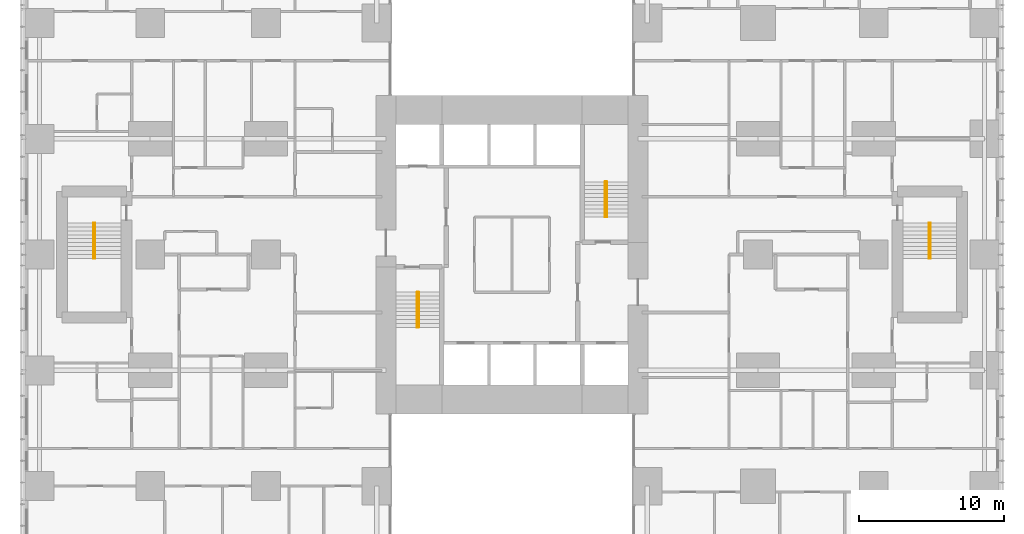
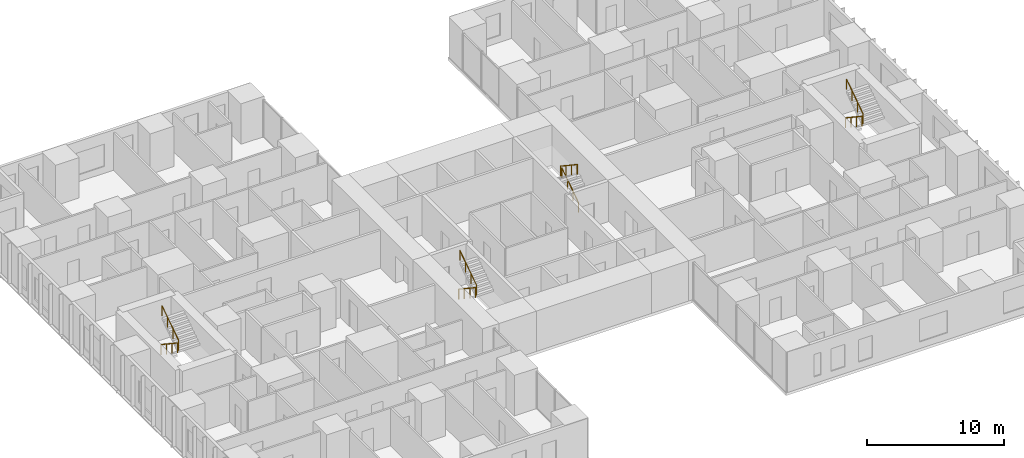
# One storey, part 20 of 20: 8 railings.
"""IFC4 building model written with IfcOpenShell, lengths in metres."""

from ifc_helpers import new_model, si_unit, direction, frame, origin, origin_2d, place, context, subcontext, project, spatial, circle, extrude, material, type_object, element, save


model = new_model("IFC4")

# Units and contexts
model_context = context("Model", 3, precision=1e-05, world=origin(), true_north=direction((0.0, 1.0)))
body_context = subcontext(model_context, "Body", "Model", "MODEL_VIEW")
ifc_project = project(units=[si_unit("LENGTHUNIT", "METRE"), si_unit("AREAUNIT", "SQUARE_METRE"), si_unit("VOLUMEUNIT", "CUBIC_METRE"), si_unit("PLANEANGLEUNIT", "RADIAN"), si_unit("MASSUNIT", "GRAM", prefix="KILO")], contexts=[model_context])

# Site, building, storey
site_placement = place(None, origin())
site = spatial("IfcSite", under=ifc_project, at=site_placement, CompositionType="ELEMENT")
building_placement = place(site_placement, origin())
building = spatial("IfcBuilding", under=site, at=building_placement, Name="Cleftline Residences", CompositionType="ELEMENT")
storey_placement = place(building_placement, frame((0.0, 0.0, 36.800048828125)))
storey = spatial("IfcBuildingStorey", under=building, at=storey_placement, Name="L08", CompositionType="ELEMENT", Elevation=36.800048828125)

# Railings
ifc_material = material(Name="Stainless steel", Category="steel")
railing_type = type_object("IfcRailingType", Name="HANDRAIL 900", PredefinedType="HANDRAIL", material=ifc_material)
railing_1_placement = place(storey_placement, frame((26.449951171875, 21.39990234375, 0.179931640625)))
element("IfcRailing", 1, at=railing_1_placement, inside=storey, type_object=railing_type, Name="Stair handrail", PredefinedType="HANDRAIL", context=body_context, shape_type="SweptSolid", body=[
    extrude(circle(Radius=0.02392578125, at=origin_2d()), frame((0.0, 0.0, 0.8759765625), z_axis=(0.0, -0.832024571796, 0.554738778101), x_axis=(1.0, 0.0, 0.0)), (0.0, 0.0, 1.0), 2.92041015625),
    extrude(circle(Radius=0.02099609375, at=origin_2d()), origin(), (0.0, 0.0, 1.0), 0.851806640625),
    extrude(circle(Radius=0.02099609375, at=origin_2d()), frame((0.0, -0.81005859375, 0.5400390625)), (0.0, 0.0, 1.0), 0.851806640625),
    extrude(circle(Radius=0.02099609375, at=origin_2d()), frame((0.0, -1.619873046875, 1.080078125)), (0.0, 0.0, 1.0), 0.851806640625),
    extrude(circle(Radius=0.02099609375, at=origin_2d()), frame((0.0, -2.429931640625, 1.6201171875)), (0.0, 0.0, 1.0), 0.851806640625),
])
railing_2_placement = place(storey_placement, frame((26.550048828125, 18.969970703125, 1.97998046875)))
element("IfcRailing", 2, at=railing_2_placement, inside=storey, type_object=railing_type, Name="Stair handrail", PredefinedType="HANDRAIL", context=body_context, shape_type="SweptSolid", body=[
    extrude(circle(Radius=0.02392578125, at=origin_2d()), frame((0.0, 0.0, 0.8759765625), z_axis=(0.0, 0.832063155534, 0.554680903946), x_axis=(-1.0, 0.0, 0.0)), (0.0, 0.0, 1.0), 2.92041015625),
    extrude(circle(Radius=0.02099609375, at=origin_2d()), origin(), (0.0, 0.0, 1.0), 0.851806640625),
    extrude(circle(Radius=0.02099609375, at=origin_2d()), frame((0.0, 0.81005859375, 0.5400390625)), (0.0, 0.0, 1.0), 0.851806640625),
    extrude(circle(Radius=0.02099609375, at=origin_2d()), frame((0.0, 1.619873046875, 1.079833984375)), (0.0, 0.0, 1.0), 0.851806640625),
    extrude(circle(Radius=0.02099609375, at=origin_2d()), frame((0.0, 2.429931640625, 1.619873046875)), (0.0, 0.0, 1.0), 0.851806640625),
])
railing_3_placement = place(storey_placement, frame((39.550048828125, 26.60009765625, 0.179931640625)))
element("IfcRailing", 3, at=railing_3_placement, inside=storey, type_object=railing_type, Name="Stair handrail", PredefinedType="HANDRAIL", context=body_context, shape_type="SweptSolid", body=[
    extrude(circle(Radius=0.02392578125, at=origin_2d()), frame((0.0, 0.0, 0.8759765625), z_axis=(0.0, 0.832024571796, 0.554738778101), x_axis=(-1.0, 0.0, 0.0)), (0.0, 0.0, 1.0), 2.92041015625),
    extrude(circle(Radius=0.02099609375, at=origin_2d()), origin(), (0.0, 0.0, 1.0), 0.851806640625),
    extrude(circle(Radius=0.02099609375, at=origin_2d()), frame((0.0, 0.81005859375, 0.5400390625)), (0.0, 0.0, 1.0), 0.851806640625),
    extrude(circle(Radius=0.02099609375, at=origin_2d()), frame((0.0, 1.619873046875, 1.080078125)), (0.0, 0.0, 1.0), 0.851806640625),
    extrude(circle(Radius=0.02099609375, at=origin_2d()), frame((0.0, 2.429931640625, 1.6201171875)), (0.0, 0.0, 1.0), 0.851806640625),
])
railing_4_placement = place(storey_placement, frame((39.449951171875, 29.030029296875, 1.97998046875)))
element("IfcRailing", 4, at=railing_4_placement, inside=storey, type_object=railing_type, Name="Stair handrail", PredefinedType="HANDRAIL", context=body_context, shape_type="SweptSolid", body=[
    extrude(circle(Radius=0.02392578125, at=origin_2d()), frame((0.0, 0.0, 0.8759765625), z_axis=(0.0, -0.832063155534, 0.554680903946), x_axis=(1.0, 0.0, 0.0)), (0.0, 0.0, 1.0), 2.92041015625),
    extrude(circle(Radius=0.02099609375, at=origin_2d()), origin(), (0.0, 0.0, 1.0), 0.851806640625),
    extrude(circle(Radius=0.02099609375, at=origin_2d()), frame((0.0, -0.81005859375, 0.5400390625)), (0.0, 0.0, 1.0), 0.851806640625),
    extrude(circle(Radius=0.02099609375, at=origin_2d()), frame((0.0, -1.619873046875, 1.079833984375)), (0.0, 0.0, 1.0), 0.851806640625),
    extrude(circle(Radius=0.02099609375, at=origin_2d()), frame((0.0, -2.429931640625, 1.619873046875)), (0.0, 0.0, 1.0), 0.851806640625),
])
railing_5_placement = place(storey_placement, frame((61.824951171875, 26.175048828125, 0.179931640625)))
element("IfcRailing", 5, at=railing_5_placement, inside=storey, type_object=railing_type, Name="Stair handrail", PredefinedType="HANDRAIL", context=body_context, shape_type="SweptSolid", body=[
    extrude(circle(Radius=0.02392578125, at=origin_2d()), frame((0.0, 0.0, 0.8759765625), z_axis=(0.0, -0.832024571796, 0.554738778101), x_axis=(1.0, 0.0, 0.0)), (0.0, 0.0, 1.0), 2.92041015625),
    extrude(circle(Radius=0.02099609375, at=origin_2d()), origin(), (0.0, 0.0, 1.0), 0.851806640625),
    extrude(circle(Radius=0.02099609375, at=origin_2d()), frame((0.0, -0.81005859375, 0.5400390625)), (0.0, 0.0, 1.0), 0.851806640625),
    extrude(circle(Radius=0.02099609375, at=origin_2d()), frame((0.0, -1.619873046875, 1.080078125)), (0.0, 0.0, 1.0), 0.851806640625),
    extrude(circle(Radius=0.02099609375, at=origin_2d()), frame((0.0, -2.429931640625, 1.6201171875)), (0.0, 0.0, 1.0), 0.851806640625),
])
railing_6_placement = place(storey_placement, frame((61.925048828125, 23.7451171875, 1.97998046875)))
element("IfcRailing", 6, at=railing_6_placement, inside=storey, type_object=railing_type, Name="Stair handrail", PredefinedType="HANDRAIL", context=body_context, shape_type="SweptSolid", body=[
    extrude(circle(Radius=0.02392578125, at=origin_2d()), frame((0.0, 0.0, 0.8759765625), z_axis=(0.0, 0.832063155534, 0.554680903946), x_axis=(-1.0, 0.0, 0.0)), (0.0, 0.0, 1.0), 2.92041015625),
    extrude(circle(Radius=0.02099609375, at=origin_2d()), origin(), (0.0, 0.0, 1.0), 0.851806640625),
    extrude(circle(Radius=0.02099609375, at=origin_2d()), frame((0.0, 0.81005859375, 0.5400390625)), (0.0, 0.0, 1.0), 0.851806640625),
    extrude(circle(Radius=0.02099609375, at=origin_2d()), frame((0.0, 1.619873046875, 1.079833984375)), (0.0, 0.0, 1.0), 0.851806640625),
    extrude(circle(Radius=0.02099609375, at=origin_2d()), frame((0.0, 2.429931640625, 1.619873046875)), (0.0, 0.0, 1.0), 0.851806640625),
])
railing_7_placement = place(storey_placement, frame((4.074951171875, 26.175048828125, 0.179931640625)))
element("IfcRailing", 7, at=railing_7_placement, inside=storey, type_object=railing_type, Name="Stair handrail", PredefinedType="HANDRAIL", context=body_context, shape_type="SweptSolid", body=[
    extrude(circle(Radius=0.02392578125, at=origin_2d()), frame((0.0, 0.0, 0.8759765625), z_axis=(0.0, -0.832024571796, 0.554738778101), x_axis=(1.0, 0.0, 0.0)), (0.0, 0.0, 1.0), 2.92041015625),
    extrude(circle(Radius=0.02099609375, at=origin_2d()), origin(), (0.0, 0.0, 1.0), 0.851806640625),
    extrude(circle(Radius=0.02099609375, at=origin_2d()), frame((0.0, -0.81005859375, 0.5400390625)), (0.0, 0.0, 1.0), 0.851806640625),
    extrude(circle(Radius=0.02099609375, at=origin_2d()), frame((0.0, -1.619873046875, 1.080078125)), (0.0, 0.0, 1.0), 0.851806640625),
    extrude(circle(Radius=0.02099609375, at=origin_2d()), frame((0.0, -2.429931640625, 1.6201171875)), (0.0, 0.0, 1.0), 0.851806640625),
])
railing_8_placement = place(storey_placement, frame((4.175048828125, 23.7451171875, 1.97998046875)))
element("IfcRailing", 8, at=railing_8_placement, inside=storey, type_object=railing_type, Name="Stair handrail", PredefinedType="HANDRAIL", context=body_context, shape_type="SweptSolid", body=[
    extrude(circle(Radius=0.02392578125, at=origin_2d()), frame((0.0, 0.0, 0.8759765625), z_axis=(0.0, 0.832063155534, 0.554680903946), x_axis=(-1.0, 0.0, 0.0)), (0.0, 0.0, 1.0), 2.92041015625),
    extrude(circle(Radius=0.02099609375, at=origin_2d()), origin(), (0.0, 0.0, 1.0), 0.851806640625),
    extrude(circle(Radius=0.02099609375, at=origin_2d()), frame((0.0, 0.81005859375, 0.5400390625)), (0.0, 0.0, 1.0), 0.851806640625),
    extrude(circle(Radius=0.02099609375, at=origin_2d()), frame((0.0, 1.619873046875, 1.079833984375)), (0.0, 0.0, 1.0), 0.851806640625),
    extrude(circle(Radius=0.02099609375, at=origin_2d()), frame((0.0, 2.429931640625, 1.619873046875)), (0.0, 0.0, 1.0), 0.851806640625),
])

save(model, "model.ifc")
